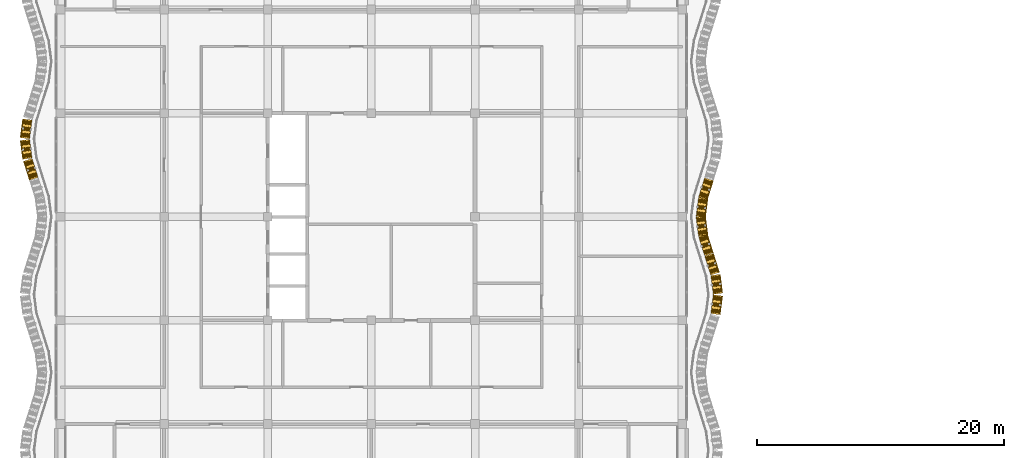
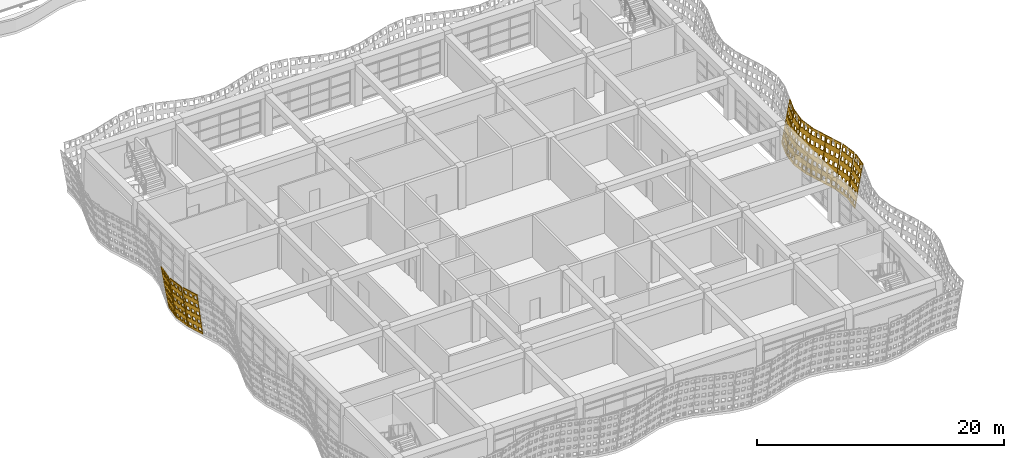
# One storey, part 156 of 163: 10 coverings.
"""IFC4 building model written with IfcOpenShell, lengths in metres."""

from ifc_helpers import new_model, si_unit, direction, frame, origin, place, context, subcontext, project, spatial, polyline, outline, extrude, material, layer, layer_set, type_object, element, save


model = new_model("IFC4")

# Units and contexts
model_context = context("Model", 3, precision=1e-05, world=origin(), true_north=direction((0.0, 1.0)))
body_context = subcontext(model_context, "Body", "Model", "MODEL_VIEW")
ifc_project = project(units=[si_unit("LENGTHUNIT", "METRE"), si_unit("AREAUNIT", "SQUARE_METRE"), si_unit("VOLUMEUNIT", "CUBIC_METRE"), si_unit("PLANEANGLEUNIT", "RADIAN"), si_unit("MASSUNIT", "GRAM", prefix="KILO")], contexts=[model_context])

# Site, building, storey
site_placement = place(None, origin())
site = spatial("IfcSite", under=ifc_project, at=site_placement, CompositionType="ELEMENT")
building_placement = place(site_placement, origin())
building = spatial("IfcBuilding", under=site, at=building_placement, Name="Rain Tree Exposition and Congress Centre", CompositionType="ELEMENT")
storey_placement = place(building_placement, frame((0.0, 0.0, 10.5)))
storey = spatial("IfcBuildingStorey", under=building, at=storey_placement, Name="L02", CompositionType="ELEMENT", Elevation=10.5)

# Coverings
ifc_material = material(Name="Perforated terracotta", Category="masonry")
ifc_layer = layer(ifc_material, 0.080078125)
ifc_layer_set = layer_set([ifc_layer], Name="Perforated terracotta")
covering_type = type_object("IfcCoveringType", Name="Terracotta screen 80", PredefinedType="CLADDING", material=ifc_layer_set)
covering_1_placement = place(storey_placement, frame((52.78271484375, 17.324951171875, 0.0), z_axis=(-0.978036007662, 0.127967328105, 0.16452942185), x_axis=(-0.129735338481, -0.991548658387, 0.0)))
element("IfcCovering", 1, at=covering_1_placement, inside=storey, type_object=covering_type, Name="wing/screen/L02/046", PredefinedType="CLADDING", context=body_context, shape_type="SweptSolid", body=[
    extrude(outline(polyline([(-1.56298828125, 0.0), (-1.56298828125, 4.295166015625), (-0.02197265625, 4.295166015625), (-0.02197265625, 0.0), (-1.56298828125, 0.0)]), holes=[polyline([(-0.11962890625, 0.2216796875), (-0.11962890625, 0.63720703125), (-0.43798828125, 0.63720703125), (-0.43798828125, 0.2216796875), (-0.11962890625, 0.2216796875)]), polyline([(-0.11962890625, 1.080810546875), (-0.11962890625, 1.496337890625), (-0.43798828125, 1.496337890625), (-0.43798828125, 1.080810546875), (-0.11962890625, 1.080810546875)]), polyline([(-0.11962890625, 1.939697265625), (-0.11962890625, 2.35546875), (-0.43798828125, 2.35546875), (-0.43798828125, 1.939697265625), (-0.11962890625, 1.939697265625)]), polyline([(-0.11962890625, 2.798583984375), (-0.11962890625, 3.21435546875), (-0.43798828125, 3.21435546875), (-0.43798828125, 2.798583984375), (-0.11962890625, 2.798583984375)]), polyline([(-0.11962890625, 3.65771484375), (-0.11962890625, 4.073486328125), (-0.43798828125, 4.073486328125), (-0.43798828125, 3.65771484375), (-0.11962890625, 3.65771484375)]), polyline([(-0.63330078125, 0.2216796875), (-0.63330078125, 0.63720703125), (-0.95166015625, 0.63720703125), (-0.95166015625, 0.2216796875), (-0.63330078125, 0.2216796875)]), polyline([(-0.63330078125, 1.080810546875), (-0.63330078125, 1.496337890625), (-0.95166015625, 1.496337890625), (-0.95166015625, 1.080810546875), (-0.63330078125, 1.080810546875)]), polyline([(-0.63330078125, 1.939697265625), (-0.63330078125, 2.35546875), (-0.95166015625, 2.35546875), (-0.95166015625, 1.939697265625), (-0.63330078125, 1.939697265625)]), polyline([(-0.63330078125, 2.798583984375), (-0.63330078125, 3.21435546875), (-0.95166015625, 3.21435546875), (-0.95166015625, 2.798583984375), (-0.63330078125, 2.798583984375)]), polyline([(-0.63330078125, 3.65771484375), (-0.63330078125, 4.073486328125), (-0.95166015625, 4.073486328125), (-0.95166015625, 3.65771484375), (-0.63330078125, 3.65771484375)]), polyline([(-1.146728515625, 0.2216796875), (-1.146728515625, 0.63720703125), (-1.46533203125, 0.63720703125), (-1.46533203125, 0.2216796875), (-1.146728515625, 0.2216796875)]), polyline([(-1.146728515625, 1.080810546875), (-1.146728515625, 1.496337890625), (-1.46533203125, 1.496337890625), (-1.46533203125, 1.080810546875), (-1.146728515625, 1.080810546875)]), polyline([(-1.146728515625, 1.939697265625), (-1.146728515625, 2.35546875), (-1.46533203125, 2.35546875), (-1.46533203125, 1.939697265625), (-1.146728515625, 1.939697265625)]), polyline([(-1.146728515625, 2.798583984375), (-1.146728515625, 3.21435546875), (-1.46533203125, 3.21435546875), (-1.46533203125, 2.798583984375), (-1.146728515625, 2.798583984375)]), polyline([(-1.146728515625, 3.65771484375), (-1.146728515625, 4.073486328125), (-1.46533203125, 4.073486328125), (-1.46533203125, 3.65771484375), (-1.146728515625, 3.65771484375)])]), origin(), (0.0, 0.0, 1.0), 0.080078125),
])
covering_2_placement = place(storey_placement, frame((52.987548828125, 18.89990234375, 0.0), z_axis=(-0.978413018317, -0.124968640969, 0.164592844203), x_axis=(0.126696580272, -0.991941518713, 0.0)))
element("IfcCovering", 2, at=covering_2_placement, inside=storey, type_object=covering_type, Name="wing/screen/L02/047", PredefinedType="CLADDING", context=body_context, shape_type="SweptSolid", body=[
    extrude(outline(polyline([(-1.56640625, 0.0), (-1.56640625, 4.295166015625), (-0.025390625, 4.295166015625), (-0.025390625, 0.0), (-1.56640625, 0.0)]), holes=[polyline([(-0.123046875, 0.2216796875), (-0.123046875, 0.63720703125), (-0.44140625, 0.63720703125), (-0.44140625, 0.2216796875), (-0.123046875, 0.2216796875)]), polyline([(-0.123046875, 1.080810546875), (-0.123046875, 1.496337890625), (-0.44140625, 1.496337890625), (-0.44140625, 1.080810546875), (-0.123046875, 1.080810546875)]), polyline([(-0.123046875, 1.939697265625), (-0.123046875, 2.35546875), (-0.44140625, 2.35546875), (-0.44140625, 1.939697265625), (-0.123046875, 1.939697265625)]), polyline([(-0.123046875, 2.798583984375), (-0.123046875, 3.21435546875), (-0.44140625, 3.21435546875), (-0.44140625, 2.798583984375), (-0.123046875, 2.798583984375)]), polyline([(-0.123046875, 3.65771484375), (-0.123046875, 4.073486328125), (-0.44140625, 4.073486328125), (-0.44140625, 3.65771484375), (-0.123046875, 3.65771484375)]), polyline([(-0.63671875, 0.2216796875), (-0.63671875, 0.63720703125), (-0.955078125, 0.63720703125), (-0.955078125, 0.2216796875), (-0.63671875, 0.2216796875)]), polyline([(-0.63671875, 1.080810546875), (-0.63671875, 1.496337890625), (-0.955078125, 1.496337890625), (-0.955078125, 1.080810546875), (-0.63671875, 1.080810546875)]), polyline([(-0.63671875, 1.939697265625), (-0.63671875, 2.35546875), (-0.955078125, 2.35546875), (-0.955078125, 1.939697265625), (-0.63671875, 1.939697265625)]), polyline([(-0.63671875, 2.798583984375), (-0.63671875, 3.21435546875), (-0.955078125, 3.21435546875), (-0.955078125, 2.798583984375), (-0.63671875, 2.798583984375)]), polyline([(-0.63671875, 3.65771484375), (-0.63671875, 4.073486328125), (-0.955078125, 4.073486328125), (-0.955078125, 3.65771484375), (-0.63671875, 3.65771484375)]), polyline([(-1.150146484375, 0.2216796875), (-1.150146484375, 0.63720703125), (-1.46875, 0.63720703125), (-1.46875, 0.2216796875), (-1.150146484375, 0.2216796875)]), polyline([(-1.150146484375, 1.080810546875), (-1.150146484375, 1.496337890625), (-1.46875, 1.496337890625), (-1.46875, 1.080810546875), (-1.150146484375, 1.080810546875)]), polyline([(-1.150146484375, 1.939697265625), (-1.150146484375, 2.35546875), (-1.46875, 2.35546875), (-1.46875, 1.939697265625), (-1.150146484375, 1.939697265625)]), polyline([(-1.150146484375, 2.798583984375), (-1.150146484375, 3.21435546875), (-1.46875, 3.21435546875), (-1.46875, 2.798583984375), (-1.150146484375, 2.798583984375)]), polyline([(-1.150146484375, 3.65771484375), (-1.150146484375, 4.073486328125), (-1.46875, 4.073486328125), (-1.46875, 3.65771484375), (-1.150146484375, 3.65771484375)])]), origin(), (0.0, 0.0, 1.0), 0.080078125),
])
covering_3_placement = place(storey_placement, frame((52.78271484375, 20.47509765625, 0.0), z_axis=(-0.942029390639, -0.295717964052, 0.158529217842), x_axis=(0.29950542383, -0.954094597562, 0.0)))
element("IfcCovering", 3, at=covering_3_placement, inside=storey, type_object=covering_type, Name="wing/screen/L02/048", PredefinedType="CLADDING", context=body_context, shape_type="SweptSolid", body=[
    extrude(outline(polyline([(-1.635986328125, 0.0), (-1.635986328125, 4.291259765625), (-0.02197265625, 4.291259765625), (-0.02197265625, 0.0), (-1.635986328125, 0.0)]), holes=[polyline([(-0.124267578125, 0.221435546875), (-0.124267578125, 0.63671875), (-0.457763671875, 0.63671875), (-0.457763671875, 0.221435546875), (-0.124267578125, 0.221435546875)]), polyline([(-0.124267578125, 1.07958984375), (-0.124267578125, 1.4951171875), (-0.457763671875, 1.4951171875), (-0.457763671875, 1.07958984375), (-0.124267578125, 1.07958984375)]), polyline([(-0.124267578125, 1.93798828125), (-0.124267578125, 2.353271484375), (-0.457763671875, 2.353271484375), (-0.457763671875, 1.93798828125), (-0.124267578125, 1.93798828125)]), polyline([(-0.124267578125, 2.796142578125), (-0.124267578125, 3.21142578125), (-0.457763671875, 3.21142578125), (-0.457763671875, 2.796142578125), (-0.124267578125, 2.796142578125)]), polyline([(-0.124267578125, 3.654541015625), (-0.124267578125, 4.06982421875), (-0.457763671875, 4.06982421875), (-0.457763671875, 3.654541015625), (-0.124267578125, 3.654541015625)]), polyline([(-0.662109375, 0.221435546875), (-0.662109375, 0.63671875), (-0.995849609375, 0.63671875), (-0.995849609375, 0.221435546875), (-0.662109375, 0.221435546875)]), polyline([(-0.662109375, 1.07958984375), (-0.662109375, 1.4951171875), (-0.995849609375, 1.4951171875), (-0.995849609375, 1.07958984375), (-0.662109375, 1.07958984375)]), polyline([(-0.662109375, 1.93798828125), (-0.662109375, 2.353271484375), (-0.995849609375, 2.353271484375), (-0.995849609375, 1.93798828125), (-0.662109375, 1.93798828125)]), polyline([(-0.662109375, 2.796142578125), (-0.662109375, 3.21142578125), (-0.995849609375, 3.21142578125), (-0.995849609375, 2.796142578125), (-0.662109375, 2.796142578125)]), polyline([(-0.662109375, 3.654541015625), (-0.662109375, 4.06982421875), (-0.995849609375, 4.06982421875), (-0.995849609375, 3.654541015625), (-0.662109375, 3.654541015625)]), polyline([(-1.2001953125, 0.221435546875), (-1.2001953125, 0.63671875), (-1.53369140625, 0.63671875), (-1.53369140625, 0.221435546875), (-1.2001953125, 0.221435546875)]), polyline([(-1.2001953125, 1.07958984375), (-1.2001953125, 1.4951171875), (-1.53369140625, 1.4951171875), (-1.53369140625, 1.07958984375), (-1.2001953125, 1.07958984375)]), polyline([(-1.2001953125, 1.93798828125), (-1.2001953125, 2.353271484375), (-1.53369140625, 2.353271484375), (-1.53369140625, 1.93798828125), (-1.2001953125, 1.93798828125)]), polyline([(-1.2001953125, 2.796142578125), (-1.2001953125, 3.21142578125), (-1.53369140625, 3.21142578125), (-1.53369140625, 2.796142578125), (-1.2001953125, 2.796142578125)]), polyline([(-1.2001953125, 3.654541015625), (-1.2001953125, 4.06982421875), (-1.53369140625, 4.06982421875), (-1.53369140625, 3.654541015625), (-1.2001953125, 3.654541015625)])]), origin(), (0.0, 0.0, 1.0), 0.080078125),
])
covering_4_placement = place(storey_placement, frame((52.28759765625, 22.050048828125, 0.0), z_axis=(-0.942029390639, -0.295717964052, 0.158529217842), x_axis=(0.29950542383, -0.954094597562, 0.0)))
element("IfcCovering", 4, at=covering_4_placement, inside=storey, type_object=covering_type, Name="wing/screen/L02/049", PredefinedType="CLADDING", context=body_context, shape_type="SweptSolid", body=[
    extrude(outline(polyline([(-1.635986328125, 0.0), (-1.635986328125, 4.291259765625), (-0.014892578125, 4.291259765625), (-0.014892578125, 0.0), (-1.635986328125, 0.0)]), holes=[polyline([(-0.11767578125, 0.221435546875), (-0.11767578125, 0.63671875), (-0.45263671875, 0.63671875), (-0.45263671875, 0.221435546875), (-0.11767578125, 0.221435546875)]), polyline([(-0.11767578125, 1.07958984375), (-0.11767578125, 1.4951171875), (-0.45263671875, 1.4951171875), (-0.45263671875, 1.07958984375), (-0.11767578125, 1.07958984375)]), polyline([(-0.11767578125, 1.93798828125), (-0.11767578125, 2.353271484375), (-0.45263671875, 2.353271484375), (-0.45263671875, 1.93798828125), (-0.11767578125, 1.93798828125)]), polyline([(-0.11767578125, 2.796142578125), (-0.11767578125, 3.21142578125), (-0.45263671875, 3.21142578125), (-0.45263671875, 2.796142578125), (-0.11767578125, 2.796142578125)]), polyline([(-0.11767578125, 3.654541015625), (-0.11767578125, 4.06982421875), (-0.45263671875, 4.06982421875), (-0.45263671875, 3.654541015625), (-0.11767578125, 3.654541015625)]), polyline([(-0.657958984375, 0.221435546875), (-0.657958984375, 0.63671875), (-0.992919921875, 0.63671875), (-0.992919921875, 0.221435546875), (-0.657958984375, 0.221435546875)]), polyline([(-0.657958984375, 1.07958984375), (-0.657958984375, 1.4951171875), (-0.992919921875, 1.4951171875), (-0.992919921875, 1.07958984375), (-0.657958984375, 1.07958984375)]), polyline([(-0.657958984375, 1.93798828125), (-0.657958984375, 2.353271484375), (-0.992919921875, 2.353271484375), (-0.992919921875, 1.93798828125), (-0.657958984375, 1.93798828125)]), polyline([(-0.657958984375, 2.796142578125), (-0.657958984375, 3.21142578125), (-0.992919921875, 3.21142578125), (-0.992919921875, 2.796142578125), (-0.657958984375, 2.796142578125)]), polyline([(-0.657958984375, 3.654541015625), (-0.657958984375, 4.06982421875), (-0.992919921875, 4.06982421875), (-0.992919921875, 3.654541015625), (-0.657958984375, 3.654541015625)]), polyline([(-1.1982421875, 0.221435546875), (-1.1982421875, 0.63671875), (-1.533203125, 0.63671875), (-1.533203125, 0.221435546875), (-1.1982421875, 0.221435546875)]), polyline([(-1.1982421875, 1.07958984375), (-1.1982421875, 1.4951171875), (-1.533203125, 1.4951171875), (-1.533203125, 1.07958984375), (-1.1982421875, 1.07958984375)]), polyline([(-1.1982421875, 1.93798828125), (-1.1982421875, 2.353271484375), (-1.533203125, 2.353271484375), (-1.533203125, 1.93798828125), (-1.1982421875, 1.93798828125)]), polyline([(-1.1982421875, 2.796142578125), (-1.1982421875, 3.21142578125), (-1.533203125, 3.21142578125), (-1.533203125, 2.796142578125), (-1.1982421875, 2.796142578125)]), polyline([(-1.1982421875, 3.654541015625), (-1.1982421875, 4.06982421875), (-1.533203125, 4.06982421875), (-1.533203125, 3.654541015625), (-1.1982421875, 3.654541015625)])]), origin(), (0.0, 0.0, 1.0), 0.080078125),
])
covering_5_placement = place(storey_placement, frame((51.79248046875, 23.625, 0.0), z_axis=(-0.9779030419, -0.128349774249, 0.165021138321), x_axis=(0.130133906157, -0.991496427865, 0.0)))
element("IfcCovering", 5, at=covering_5_placement, inside=storey, type_object=covering_type, Name="wing/screen/L02/050", PredefinedType="CLADDING", context=body_context, shape_type="SweptSolid", body=[
    extrude(outline(polyline([(-1.5732421875, 0.0), (-1.5732421875, 4.295166015625), (-0.014892578125, 4.295166015625), (-0.014892578125, 0.0), (-1.5732421875, 0.0)]), holes=[polyline([(-0.11376953125, 0.2216796875), (-0.11376953125, 0.63720703125), (-0.435791015625, 0.63720703125), (-0.435791015625, 0.2216796875), (-0.11376953125, 0.2216796875)]), polyline([(-0.11376953125, 1.080810546875), (-0.11376953125, 1.496337890625), (-0.435791015625, 1.496337890625), (-0.435791015625, 1.080810546875), (-0.11376953125, 1.080810546875)]), polyline([(-0.11376953125, 1.939697265625), (-0.11376953125, 2.35546875), (-0.435791015625, 2.35546875), (-0.435791015625, 1.939697265625), (-0.11376953125, 1.939697265625)]), polyline([(-0.11376953125, 2.798583984375), (-0.11376953125, 3.21435546875), (-0.435791015625, 3.21435546875), (-0.435791015625, 2.798583984375), (-0.11376953125, 2.798583984375)]), polyline([(-0.11376953125, 3.65771484375), (-0.11376953125, 4.073486328125), (-0.435791015625, 4.073486328125), (-0.435791015625, 3.65771484375), (-0.11376953125, 3.65771484375)]), polyline([(-0.633056640625, 0.2216796875), (-0.633056640625, 0.63720703125), (-0.955078125, 0.63720703125), (-0.955078125, 0.2216796875), (-0.633056640625, 0.2216796875)]), polyline([(-0.633056640625, 1.080810546875), (-0.633056640625, 1.496337890625), (-0.955078125, 1.496337890625), (-0.955078125, 1.080810546875), (-0.633056640625, 1.080810546875)]), polyline([(-0.633056640625, 1.939697265625), (-0.633056640625, 2.35546875), (-0.955078125, 2.35546875), (-0.955078125, 1.939697265625), (-0.633056640625, 1.939697265625)]), polyline([(-0.633056640625, 2.798583984375), (-0.633056640625, 3.21435546875), (-0.955078125, 3.21435546875), (-0.955078125, 2.798583984375), (-0.633056640625, 2.798583984375)]), polyline([(-0.633056640625, 3.65771484375), (-0.633056640625, 4.073486328125), (-0.955078125, 4.073486328125), (-0.955078125, 3.65771484375), (-0.633056640625, 3.65771484375)]), polyline([(-1.152587890625, 0.2216796875), (-1.152587890625, 0.63720703125), (-1.474609375, 0.63720703125), (-1.474609375, 0.2216796875), (-1.152587890625, 0.2216796875)]), polyline([(-1.152587890625, 1.080810546875), (-1.152587890625, 1.496337890625), (-1.474609375, 1.496337890625), (-1.474609375, 1.080810546875), (-1.152587890625, 1.080810546875)]), polyline([(-1.152587890625, 1.939697265625), (-1.152587890625, 2.35546875), (-1.474609375, 2.35546875), (-1.474609375, 1.939697265625), (-1.152587890625, 1.939697265625)]), polyline([(-1.152587890625, 2.798583984375), (-1.152587890625, 3.21435546875), (-1.474609375, 3.21435546875), (-1.474609375, 2.798583984375), (-1.152587890625, 2.798583984375)]), polyline([(-1.152587890625, 3.65771484375), (-1.152587890625, 4.073486328125), (-1.474609375, 4.073486328125), (-1.474609375, 3.65771484375), (-1.152587890625, 3.65771484375)])]), origin(), (0.0, 0.0, 1.0), 0.079833984375),
])
covering_6_placement = place(storey_placement, frame((51.587646484375, 25.199951171875, 0.0), z_axis=(-0.978036007662, 0.127967328105, 0.16452942185), x_axis=(-0.129735338481, -0.991548658387, 0.0)))
element("IfcCovering", 6, at=covering_6_placement, inside=storey, type_object=covering_type, Name="wing/screen/L02/051", PredefinedType="CLADDING", context=body_context, shape_type="SweptSolid", body=[
    extrude(outline(polyline([(-1.5732421875, 0.0), (-1.5732421875, 4.295166015625), (-0.014892578125, 4.295166015625), (-0.014892578125, 0.0), (-1.5732421875, 0.0)]), holes=[polyline([(-0.11376953125, 0.2216796875), (-0.11376953125, 0.63720703125), (-0.435791015625, 0.63720703125), (-0.435791015625, 0.2216796875), (-0.11376953125, 0.2216796875)]), polyline([(-0.11376953125, 1.080810546875), (-0.11376953125, 1.496337890625), (-0.435791015625, 1.496337890625), (-0.435791015625, 1.080810546875), (-0.11376953125, 1.080810546875)]), polyline([(-0.11376953125, 1.939697265625), (-0.11376953125, 2.35546875), (-0.435791015625, 2.35546875), (-0.435791015625, 1.939697265625), (-0.11376953125, 1.939697265625)]), polyline([(-0.11376953125, 2.798583984375), (-0.11376953125, 3.21435546875), (-0.435791015625, 3.21435546875), (-0.435791015625, 2.798583984375), (-0.11376953125, 2.798583984375)]), polyline([(-0.11376953125, 3.65771484375), (-0.11376953125, 4.073486328125), (-0.435791015625, 4.073486328125), (-0.435791015625, 3.65771484375), (-0.11376953125, 3.65771484375)]), polyline([(-0.633056640625, 0.2216796875), (-0.633056640625, 0.63720703125), (-0.955078125, 0.63720703125), (-0.955078125, 0.2216796875), (-0.633056640625, 0.2216796875)]), polyline([(-0.633056640625, 1.080810546875), (-0.633056640625, 1.496337890625), (-0.955078125, 1.496337890625), (-0.955078125, 1.080810546875), (-0.633056640625, 1.080810546875)]), polyline([(-0.633056640625, 1.939697265625), (-0.633056640625, 2.35546875), (-0.955078125, 2.35546875), (-0.955078125, 1.939697265625), (-0.633056640625, 1.939697265625)]), polyline([(-0.633056640625, 2.798583984375), (-0.633056640625, 3.21435546875), (-0.955078125, 3.21435546875), (-0.955078125, 2.798583984375), (-0.633056640625, 2.798583984375)]), polyline([(-0.633056640625, 3.65771484375), (-0.633056640625, 4.073486328125), (-0.955078125, 4.073486328125), (-0.955078125, 3.65771484375), (-0.633056640625, 3.65771484375)]), polyline([(-1.152587890625, 0.2216796875), (-1.152587890625, 0.63720703125), (-1.474609375, 0.63720703125), (-1.474609375, 0.2216796875), (-1.152587890625, 0.2216796875)]), polyline([(-1.152587890625, 1.080810546875), (-1.152587890625, 1.496337890625), (-1.474609375, 1.496337890625), (-1.474609375, 1.080810546875), (-1.152587890625, 1.080810546875)]), polyline([(-1.152587890625, 1.939697265625), (-1.152587890625, 2.35546875), (-1.474609375, 2.35546875), (-1.474609375, 1.939697265625), (-1.152587890625, 1.939697265625)]), polyline([(-1.152587890625, 2.798583984375), (-1.152587890625, 3.21435546875), (-1.474609375, 3.21435546875), (-1.474609375, 2.798583984375), (-1.152587890625, 2.798583984375)]), polyline([(-1.152587890625, 3.65771484375), (-1.152587890625, 4.073486328125), (-1.474609375, 4.073486328125), (-1.474609375, 3.65771484375), (-1.152587890625, 3.65771484375)])]), origin(), (0.0, 0.0, 1.0), 0.080078125),
])
covering_7_placement = place(storey_placement, frame((51.79248046875, 26.77490234375, 0.0), z_axis=(-0.941684688936, 0.296569528658, 0.158985726703), x_axis=(-0.300390227601, -0.953816392794, 0.0)))
element("IfcCovering", 7, at=covering_7_placement, inside=storey, type_object=covering_type, Name="wing/screen/L02/052", PredefinedType="CLADDING", context=body_context, shape_type="SweptSolid", body=[
    extrude(outline(polyline([(-1.635986328125, 0.0), (-1.635986328125, 4.291259765625), (-0.014892578125, 4.291259765625), (-0.014892578125, 0.0), (-1.635986328125, 0.0)]), holes=[polyline([(-0.11767578125, 0.221435546875), (-0.11767578125, 0.63671875), (-0.45263671875, 0.63671875), (-0.45263671875, 0.221435546875), (-0.11767578125, 0.221435546875)]), polyline([(-0.11767578125, 1.07958984375), (-0.11767578125, 1.4951171875), (-0.45263671875, 1.4951171875), (-0.45263671875, 1.07958984375), (-0.11767578125, 1.07958984375)]), polyline([(-0.11767578125, 1.93798828125), (-0.11767578125, 2.353271484375), (-0.45263671875, 2.353271484375), (-0.45263671875, 1.93798828125), (-0.11767578125, 1.93798828125)]), polyline([(-0.11767578125, 2.796142578125), (-0.11767578125, 3.21142578125), (-0.45263671875, 3.21142578125), (-0.45263671875, 2.796142578125), (-0.11767578125, 2.796142578125)]), polyline([(-0.11767578125, 3.654541015625), (-0.11767578125, 4.06982421875), (-0.45263671875, 4.06982421875), (-0.45263671875, 3.654541015625), (-0.11767578125, 3.654541015625)]), polyline([(-0.657958984375, 0.221435546875), (-0.657958984375, 0.63671875), (-0.992919921875, 0.63671875), (-0.992919921875, 0.221435546875), (-0.657958984375, 0.221435546875)]), polyline([(-0.657958984375, 1.07958984375), (-0.657958984375, 1.4951171875), (-0.992919921875, 1.4951171875), (-0.992919921875, 1.07958984375), (-0.657958984375, 1.07958984375)]), polyline([(-0.657958984375, 1.93798828125), (-0.657958984375, 2.353271484375), (-0.992919921875, 2.353271484375), (-0.992919921875, 1.93798828125), (-0.657958984375, 1.93798828125)]), polyline([(-0.657958984375, 2.796142578125), (-0.657958984375, 3.21142578125), (-0.992919921875, 3.21142578125), (-0.992919921875, 2.796142578125), (-0.657958984375, 2.796142578125)]), polyline([(-0.657958984375, 3.654541015625), (-0.657958984375, 4.06982421875), (-0.992919921875, 4.06982421875), (-0.992919921875, 3.654541015625), (-0.657958984375, 3.654541015625)]), polyline([(-1.1982421875, 0.221435546875), (-1.1982421875, 0.63671875), (-1.533203125, 0.63671875), (-1.533203125, 0.221435546875), (-1.1982421875, 0.221435546875)]), polyline([(-1.1982421875, 1.07958984375), (-1.1982421875, 1.4951171875), (-1.533203125, 1.4951171875), (-1.533203125, 1.07958984375), (-1.1982421875, 1.07958984375)]), polyline([(-1.1982421875, 1.93798828125), (-1.1982421875, 2.353271484375), (-1.533203125, 2.353271484375), (-1.533203125, 1.93798828125), (-1.1982421875, 1.93798828125)]), polyline([(-1.1982421875, 2.796142578125), (-1.1982421875, 3.21142578125), (-1.533203125, 3.21142578125), (-1.533203125, 2.796142578125), (-1.1982421875, 2.796142578125)]), polyline([(-1.1982421875, 3.654541015625), (-1.1982421875, 4.06982421875), (-1.533203125, 4.06982421875), (-1.533203125, 3.654541015625), (-1.1982421875, 3.654541015625)])]), origin(), (0.0, 0.0, 1.0), 0.079833984375),
])
covering_8_placement = place(storey_placement, frame((-2.382568359375, 33.074951171875, 0.0), z_axis=(0.978036007662, -0.127967328105, 0.16452942185), x_axis=(0.129735338481, 0.991548658387, 0.0)))
element("IfcCovering", 8, at=covering_8_placement, inside=storey, type_object=covering_type, Name="wing/screen/L02/114", PredefinedType="CLADDING", context=body_context, shape_type="SweptSolid", body=[
    extrude(outline(polyline([(-1.56298828125, 0.0), (-1.56298828125, 4.295166015625), (-0.02197265625, 4.295166015625), (-0.02197265625, 0.0), (-1.56298828125, 0.0)]), holes=[polyline([(-0.11962890625, 0.2216796875), (-0.11962890625, 0.63720703125), (-0.43798828125, 0.63720703125), (-0.43798828125, 0.2216796875), (-0.11962890625, 0.2216796875)]), polyline([(-0.11962890625, 1.080810546875), (-0.11962890625, 1.496337890625), (-0.43798828125, 1.496337890625), (-0.43798828125, 1.080810546875), (-0.11962890625, 1.080810546875)]), polyline([(-0.11962890625, 1.939697265625), (-0.11962890625, 2.35546875), (-0.43798828125, 2.35546875), (-0.43798828125, 1.939697265625), (-0.11962890625, 1.939697265625)]), polyline([(-0.11962890625, 2.798583984375), (-0.11962890625, 3.21435546875), (-0.43798828125, 3.21435546875), (-0.43798828125, 2.798583984375), (-0.11962890625, 2.798583984375)]), polyline([(-0.11962890625, 3.65771484375), (-0.11962890625, 4.073486328125), (-0.43798828125, 4.073486328125), (-0.43798828125, 3.65771484375), (-0.11962890625, 3.65771484375)]), polyline([(-0.63330078125, 0.2216796875), (-0.63330078125, 0.63720703125), (-0.95166015625, 0.63720703125), (-0.95166015625, 0.2216796875), (-0.63330078125, 0.2216796875)]), polyline([(-0.63330078125, 1.080810546875), (-0.63330078125, 1.496337890625), (-0.95166015625, 1.496337890625), (-0.95166015625, 1.080810546875), (-0.63330078125, 1.080810546875)]), polyline([(-0.63330078125, 1.939697265625), (-0.63330078125, 2.35546875), (-0.95166015625, 2.35546875), (-0.95166015625, 1.939697265625), (-0.63330078125, 1.939697265625)]), polyline([(-0.63330078125, 2.798583984375), (-0.63330078125, 3.21435546875), (-0.95166015625, 3.21435546875), (-0.95166015625, 2.798583984375), (-0.63330078125, 2.798583984375)]), polyline([(-0.63330078125, 3.65771484375), (-0.63330078125, 4.073486328125), (-0.95166015625, 4.073486328125), (-0.95166015625, 3.65771484375), (-0.63330078125, 3.65771484375)]), polyline([(-1.146728515625, 0.2216796875), (-1.146728515625, 0.63720703125), (-1.46533203125, 0.63720703125), (-1.46533203125, 0.2216796875), (-1.146728515625, 0.2216796875)]), polyline([(-1.146728515625, 1.080810546875), (-1.146728515625, 1.496337890625), (-1.46533203125, 1.496337890625), (-1.46533203125, 1.080810546875), (-1.146728515625, 1.080810546875)]), polyline([(-1.146728515625, 1.939697265625), (-1.146728515625, 2.35546875), (-1.46533203125, 2.35546875), (-1.46533203125, 1.939697265625), (-1.146728515625, 1.939697265625)]), polyline([(-1.146728515625, 2.798583984375), (-1.146728515625, 3.21435546875), (-1.46533203125, 3.21435546875), (-1.46533203125, 2.798583984375), (-1.146728515625, 2.798583984375)]), polyline([(-1.146728515625, 3.65771484375), (-1.146728515625, 4.073486328125), (-1.46533203125, 4.073486328125), (-1.46533203125, 3.65771484375), (-1.146728515625, 3.65771484375)])]), origin(), (0.0, 0.0, 1.0), 0.080078125),
])
covering_9_placement = place(storey_placement, frame((-2.587646484375, 31.5, 0.0), z_axis=(0.978036007662, 0.127967328105, 0.16452942185), x_axis=(-0.129735338481, 0.991548658387, 0.0)))
element("IfcCovering", 9, at=covering_9_placement, inside=storey, type_object=covering_type, Name="wing/screen/L02/115", PredefinedType="CLADDING", context=body_context, shape_type="SweptSolid", body=[
    extrude(outline(polyline([(-1.56640625, 0.0), (-1.56640625, 4.295166015625), (-0.025390625, 4.295166015625), (-0.025390625, 0.0), (-1.56640625, 0.0)]), holes=[polyline([(-0.123046875, 0.2216796875), (-0.123046875, 0.63720703125), (-0.44140625, 0.63720703125), (-0.44140625, 0.2216796875), (-0.123046875, 0.2216796875)]), polyline([(-0.123046875, 1.080810546875), (-0.123046875, 1.496337890625), (-0.44140625, 1.496337890625), (-0.44140625, 1.080810546875), (-0.123046875, 1.080810546875)]), polyline([(-0.123046875, 1.939697265625), (-0.123046875, 2.35546875), (-0.44140625, 2.35546875), (-0.44140625, 1.939697265625), (-0.123046875, 1.939697265625)]), polyline([(-0.123046875, 2.798583984375), (-0.123046875, 3.21435546875), (-0.44140625, 3.21435546875), (-0.44140625, 2.798583984375), (-0.123046875, 2.798583984375)]), polyline([(-0.123046875, 3.65771484375), (-0.123046875, 4.073486328125), (-0.44140625, 4.073486328125), (-0.44140625, 3.65771484375), (-0.123046875, 3.65771484375)]), polyline([(-0.63671875, 0.2216796875), (-0.63671875, 0.63720703125), (-0.955078125, 0.63720703125), (-0.955078125, 0.2216796875), (-0.63671875, 0.2216796875)]), polyline([(-0.63671875, 1.080810546875), (-0.63671875, 1.496337890625), (-0.955078125, 1.496337890625), (-0.955078125, 1.080810546875), (-0.63671875, 1.080810546875)]), polyline([(-0.63671875, 1.939697265625), (-0.63671875, 2.35546875), (-0.955078125, 2.35546875), (-0.955078125, 1.939697265625), (-0.63671875, 1.939697265625)]), polyline([(-0.63671875, 2.798583984375), (-0.63671875, 3.21435546875), (-0.955078125, 3.21435546875), (-0.955078125, 2.798583984375), (-0.63671875, 2.798583984375)]), polyline([(-0.63671875, 3.65771484375), (-0.63671875, 4.073486328125), (-0.955078125, 4.073486328125), (-0.955078125, 3.65771484375), (-0.63671875, 3.65771484375)]), polyline([(-1.150146484375, 0.2216796875), (-1.150146484375, 0.63720703125), (-1.46875, 0.63720703125), (-1.46875, 0.2216796875), (-1.150146484375, 0.2216796875)]), polyline([(-1.150146484375, 1.080810546875), (-1.150146484375, 1.496337890625), (-1.46875, 1.496337890625), (-1.46875, 1.080810546875), (-1.150146484375, 1.080810546875)]), polyline([(-1.150146484375, 1.939697265625), (-1.150146484375, 2.35546875), (-1.46875, 2.35546875), (-1.46875, 1.939697265625), (-1.150146484375, 1.939697265625)]), polyline([(-1.150146484375, 2.798583984375), (-1.150146484375, 3.21435546875), (-1.46875, 3.21435546875), (-1.46875, 2.798583984375), (-1.150146484375, 2.798583984375)]), polyline([(-1.150146484375, 3.65771484375), (-1.150146484375, 4.073486328125), (-1.46875, 4.073486328125), (-1.46875, 3.65771484375), (-1.150146484375, 3.65771484375)])]), origin(), (0.0, 0.0, 1.0), 0.080078125),
])
covering_10_placement = place(storey_placement, frame((-2.382568359375, 29.925048828125, 0.0), z_axis=(0.942029390639, 0.295717964052, 0.158529217842), x_axis=(-0.29950542383, 0.954094597562, 0.0)))
element("IfcCovering", 10, at=covering_10_placement, inside=storey, type_object=covering_type, Name="wing/screen/L02/116", PredefinedType="CLADDING", context=body_context, shape_type="SweptSolid", body=[
    extrude(outline(polyline([(-1.635986328125, 0.0), (-1.635986328125, 4.291259765625), (-0.02197265625, 4.291259765625), (-0.02197265625, 0.0), (-1.635986328125, 0.0)]), holes=[polyline([(-0.124267578125, 0.221435546875), (-0.124267578125, 0.63671875), (-0.457763671875, 0.63671875), (-0.457763671875, 0.221435546875), (-0.124267578125, 0.221435546875)]), polyline([(-0.124267578125, 1.07958984375), (-0.124267578125, 1.4951171875), (-0.457763671875, 1.4951171875), (-0.457763671875, 1.07958984375), (-0.124267578125, 1.07958984375)]), polyline([(-0.124267578125, 1.93798828125), (-0.124267578125, 2.353271484375), (-0.457763671875, 2.353271484375), (-0.457763671875, 1.93798828125), (-0.124267578125, 1.93798828125)]), polyline([(-0.124267578125, 2.796142578125), (-0.124267578125, 3.21142578125), (-0.457763671875, 3.21142578125), (-0.457763671875, 2.796142578125), (-0.124267578125, 2.796142578125)]), polyline([(-0.124267578125, 3.654541015625), (-0.124267578125, 4.06982421875), (-0.457763671875, 4.06982421875), (-0.457763671875, 3.654541015625), (-0.124267578125, 3.654541015625)]), polyline([(-0.662109375, 0.221435546875), (-0.662109375, 0.63671875), (-0.995849609375, 0.63671875), (-0.995849609375, 0.221435546875), (-0.662109375, 0.221435546875)]), polyline([(-0.662109375, 1.07958984375), (-0.662109375, 1.4951171875), (-0.995849609375, 1.4951171875), (-0.995849609375, 1.07958984375), (-0.662109375, 1.07958984375)]), polyline([(-0.662109375, 1.93798828125), (-0.662109375, 2.353271484375), (-0.995849609375, 2.353271484375), (-0.995849609375, 1.93798828125), (-0.662109375, 1.93798828125)]), polyline([(-0.662109375, 2.796142578125), (-0.662109375, 3.21142578125), (-0.995849609375, 3.21142578125), (-0.995849609375, 2.796142578125), (-0.662109375, 2.796142578125)]), polyline([(-0.662109375, 3.654541015625), (-0.662109375, 4.06982421875), (-0.995849609375, 4.06982421875), (-0.995849609375, 3.654541015625), (-0.662109375, 3.654541015625)]), polyline([(-1.2001953125, 0.221435546875), (-1.2001953125, 0.63671875), (-1.53369140625, 0.63671875), (-1.53369140625, 0.221435546875), (-1.2001953125, 0.221435546875)]), polyline([(-1.2001953125, 1.07958984375), (-1.2001953125, 1.4951171875), (-1.53369140625, 1.4951171875), (-1.53369140625, 1.07958984375), (-1.2001953125, 1.07958984375)]), polyline([(-1.2001953125, 1.93798828125), (-1.2001953125, 2.353271484375), (-1.53369140625, 2.353271484375), (-1.53369140625, 1.93798828125), (-1.2001953125, 1.93798828125)]), polyline([(-1.2001953125, 2.796142578125), (-1.2001953125, 3.21142578125), (-1.53369140625, 3.21142578125), (-1.53369140625, 2.796142578125), (-1.2001953125, 2.796142578125)]), polyline([(-1.2001953125, 3.654541015625), (-1.2001953125, 4.06982421875), (-1.53369140625, 4.06982421875), (-1.53369140625, 3.654541015625), (-1.2001953125, 3.654541015625)])]), origin(), (0.0, 0.0, 1.0), 0.080078125),
])

save(model, "model.ifc")
